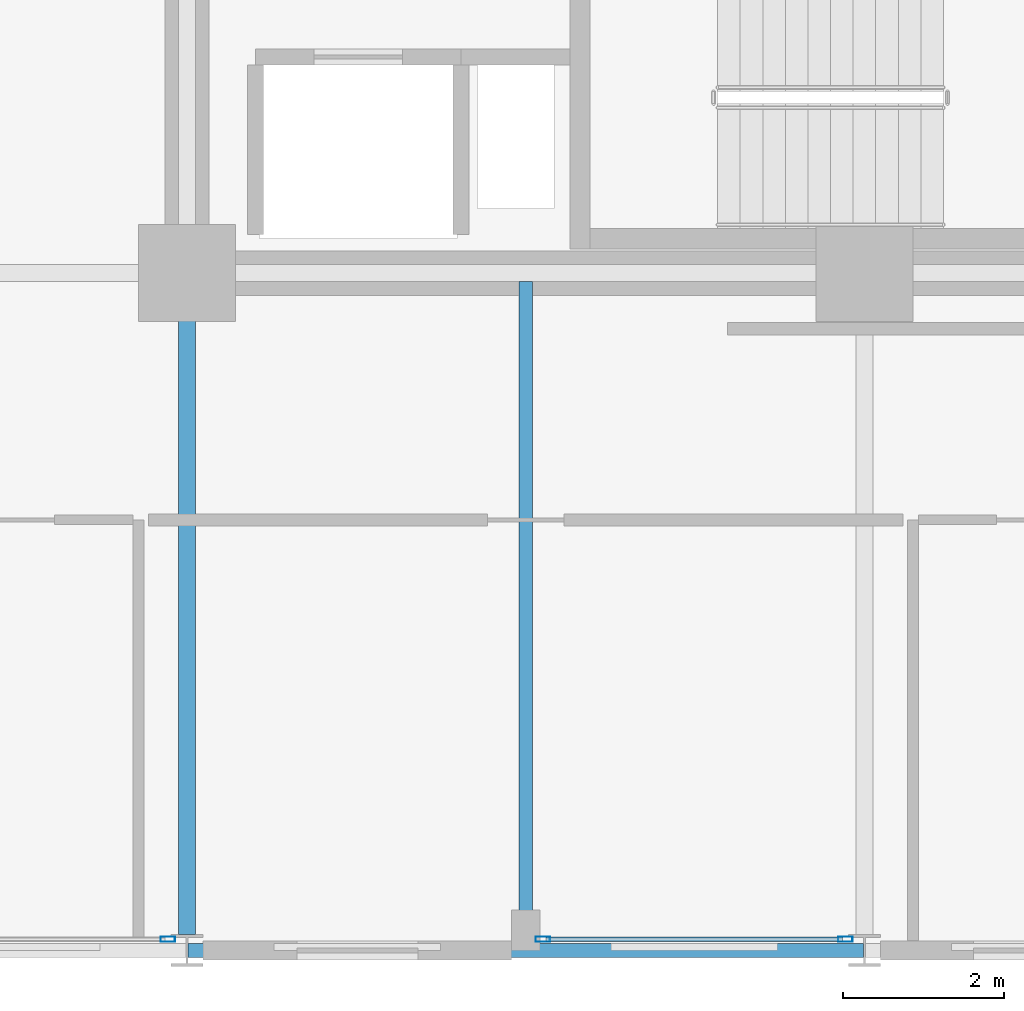
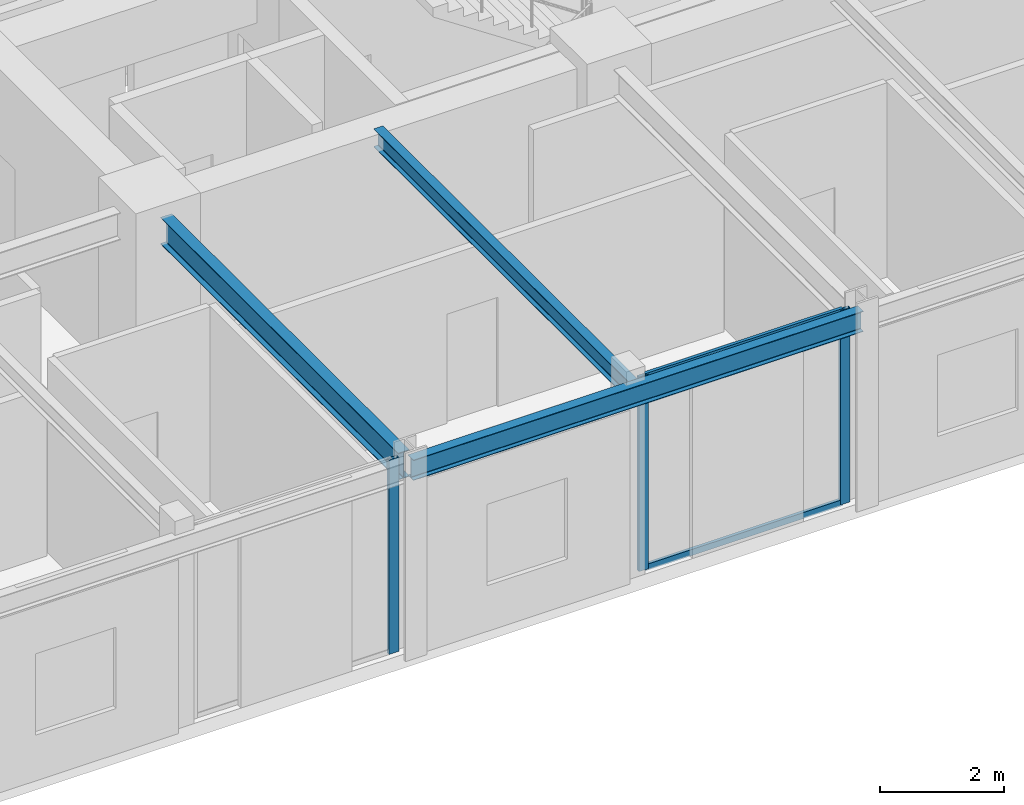
# One storey, part 8 of 38: 5 members, 3 beams, 2 elements without a shape of their own.
"""IFC4 building model written with IfcOpenShell, lengths in metres."""

import ifcopenshell
import ifcopenshell.guid

model = None  # the IFC model being written
_history = None  # IfcOwnerHistory: only IFC2X3 demands one
_inside = {}  # id of a spatial element -> (the spatial element, [elements in it])
_under = {}  # id of a project, library or spatial element -> (it, [spatial elements below it])
_declared = {}  # id of a project -> (the project, [libraries it declares])
_typed = {}  # id of a type object -> (the type object, [elements of that type])
_made_of = {}  # id of a material, layer set ... -> (it, [elements and type objects made of it])


def new_model(schema):
    """Start an empty IFC model of exactly this schema.

    Asked for "IFC4X3", IfcOpenShell would pick the latest addendum, in which some entities
    have other attributes; the version numbers below select the first issue.
    IFC2X3 requires an IfcOwnerHistory on every rooted entity: one is made here for all.
    """
    global model, _history
    if schema == "IFC4X3":
        model = ifcopenshell.file(schema_version=(4, 3, 0, 0))
    else:
        model = ifcopenshell.file(schema=schema)
    _inside.clear()
    _under.clear()
    _declared.clear()
    _typed.clear()
    _made_of.clear()
    _history = None
    if model.schema == "IFC2X3":
        org = make("IfcOrganization", Name="unknown")
        user = make(
            "IfcPersonAndOrganization",
            ThePerson=make("IfcPerson", FamilyName="unknown"),
            TheOrganization=org,
        )
        app = make(
            "IfcApplication",
            ApplicationDeveloper=org,
            Version="unknown",
            ApplicationFullName="unknown",
            ApplicationIdentifier="unknown",
        )
        _history = make(
            "IfcOwnerHistory",
            OwningUser=user,
            OwningApplication=app,
            ChangeAction="ADDED",
            CreationDate=0,
        )
    return model


def make(cls, **values):
    """One entity of the class cls with the attributes given. An attribute that is None is left unset."""
    return model.create_entity(
        cls, **{name: value for name, value in values.items() if value is not None}
    )


def rooted(cls, **values):
    """An entity with a GlobalId (a new one), such as an element, a storey or a relation."""
    return make(cls, GlobalId=ifcopenshell.guid.new(), OwnerHistory=_history, **values)


def si_unit(unit_type, name, prefix=None):
    """IfcSIUnit, for example si_unit("LENGTHUNIT", "METRE", prefix="MILLI")."""
    return make("IfcSIUnit", UnitType=unit_type, Prefix=prefix, Name=name)


def assignment(units):
    """IfcUnitAssignment: the units of a project."""
    return None if units is None else make("IfcUnitAssignment", Units=units)


def point(xyz):
    """IfcCartesianPoint."""
    return None if xyz is None else make("IfcCartesianPoint", Coordinates=xyz)


def direction(xyz):
    """IfcDirection."""
    return None if xyz is None else make("IfcDirection", DirectionRatios=xyz)


def frame(location, z_axis=None, x_axis=None):
    """IfcAxis2Placement3D, a coordinate frame: its origin and axes. An axis left out is left unset."""
    return make(
        "IfcAxis2Placement3D",
        Location=point(location),
        Axis=direction(z_axis),
        RefDirection=direction(x_axis),
    )


def frame_2d(location, x_axis=None):
    """IfcAxis2Placement2D, a coordinate frame in the plane: its origin and x axis."""
    return make(
        "IfcAxis2Placement2D", Location=point(location), RefDirection=direction(x_axis)
    )


def origin():
    """The frame at (0, 0, 0) with its axes left unset."""
    return frame((0.0, 0.0, 0.0))


def origin_2d():
    """The frame at (0, 0) in the plane with its x axis left unset."""
    return frame_2d((0.0, 0.0))


def place(relative_to, where):
    """IfcLocalPlacement: puts the frame where relative to a parent placement (None: the world)."""
    return make(
        "IfcLocalPlacement", PlacementRelTo=relative_to, RelativePlacement=where
    )


def context(
    kind, dimensions, precision=None, world=None, true_north=None, identifier=None
):
    """IfcGeometricRepresentationContext, for example the 3D "Model" context."""
    return make(
        "IfcGeometricRepresentationContext",
        ContextIdentifier=identifier,
        ContextType=kind,
        CoordinateSpaceDimension=dimensions,
        Precision=precision,
        WorldCoordinateSystem=world,
        TrueNorth=true_north,
    )


def subcontext(parent, identifier, kind, view, scale=None):
    """IfcGeometricRepresentationSubContext, for example "Body" below "Model"."""
    return make(
        "IfcGeometricRepresentationSubContext",
        ContextIdentifier=identifier,
        ContextType=kind,
        ParentContext=parent,
        TargetScale=scale,
        TargetView=view,
    )


def project(units=None, contexts=None):
    """IfcProject with its units and contexts."""
    return rooted(
        "IfcProject",
        Name="project",
        RepresentationContexts=contexts,
        UnitsInContext=assignment(units),
    )


def spatial(cls, under=None, at=None, **own):
    """A site, building, storey or space (cls), placed at a placement, below another one or the project."""
    s = rooted(cls, ObjectPlacement=at, **own)
    if under is not None:
        _under.setdefault(under.id(), (under, []))[1].append(s)
    return s


def profile(cls, at=None, kind="AREA", **sizes):
    """A parametric profile (cls). Its sizes go by their IFC names, for example OverallWidth=200.0."""
    return make(cls, ProfileType=kind, Position=at, **sizes)


def hollow_rectangle(**sizes):
    """IfcRectangleHollowProfileDef."""
    return profile("IfcRectangleHollowProfileDef", **sizes)


def i_section(**sizes):
    """IfcIShapeProfileDef."""
    return profile("IfcIShapeProfileDef", **sizes)


def extrude(swept, where, along, depth):
    """IfcExtrudedAreaSolid: the profile swept, set in the frame where, extruded along a direction by depth."""
    return make(
        "IfcExtrudedAreaSolid",
        SweptArea=swept,
        Position=where,
        ExtrudedDirection=direction(along),
        Depth=depth,
    )


def shape(context_of_items, identifier, shape_type, items):
    """IfcShapeRepresentation: the items that make up one representation, for example the "Body"."""
    return make(
        "IfcShapeRepresentation",
        ContextOfItems=context_of_items,
        RepresentationIdentifier=identifier,
        RepresentationType=shape_type,
        Items=items,
    )


def material(Name=None, Category=None):
    """IfcMaterial."""
    return make("IfcMaterial", Name=Name, Category=Category)


def layer(
    of_material, thickness, ventilated=None, Name=None, Category=None, Priority=None
):
    """IfcMaterialLayer: one layer of a wall or slab, of a material (None: an air gap)."""
    return make(
        "IfcMaterialLayer",
        Material=of_material,
        LayerThickness=thickness,
        IsVentilated=ventilated,
        Name=Name,
        Category=Category,
        Priority=Priority,
    )


def layer_set(layers, Name=None):
    """IfcMaterialLayerSet."""
    return make("IfcMaterialLayerSet", MaterialLayers=layers, LayerSetName=Name)


def material_profile(
    of_material, cross_section, Name=None, Category=None, Priority=None
):
    """IfcMaterialProfile: a cross section and its material."""
    return make(
        "IfcMaterialProfile",
        Name=Name,
        Material=of_material,
        Profile=cross_section,
        Priority=Priority,
        Category=Category,
    )


def profile_set(profiles, Name=None, composite=None):
    """IfcMaterialProfileSet."""
    return make(
        "IfcMaterialProfileSet",
        Name=Name,
        MaterialProfiles=profiles,
        CompositeProfile=composite,
    )


def made_of(thing, what):
    """Note that an element or type object is made of a material, layer set ...; save() writes the relation."""
    if what is not None:
        _made_of.setdefault(what.id(), (what, []))[1].append(thing)
    return thing


def type_object(cls, material=None, **own):
    """A type object (cls), such as IfcWallType, which elements share."""
    return made_of(rooted(cls, **own), material)


def element(
    cls,
    number,
    at=None,
    inside=None,
    cuts=None,
    type_object=None,
    material=None,
    context=None,
    identifier="Body",
    shape_type=None,
    held_by="IfcProductDefinitionShape",
    body=None,
    shapes=None,
    **own,
):
    """One element of the class cls, such as IfcWall. Its Tag is "e" and its number.

    at: its placement. inside: the storey or other place that contains it. cuts: it is an
    opening in that element (IfcRelVoidsElement). A single representation is given by context,
    identifier, shape_type and body (its items); several are given by shapes. held_by: the class
    of the entity that holds the representations. save() writes the other relations.
    """
    e = rooted(cls, Tag="e%d" % number, ObjectPlacement=at, **own)
    if body is not None:
        shapes = [shape(context, identifier, shape_type, body)]
    if shapes is not None:
        e.Representation = make(held_by, Representations=shapes)
    if inside is not None:
        _inside.setdefault(inside.id(), (inside, []))[1].append(e)
    if cuts is not None:
        rooted(
            "IfcRelVoidsElement", RelatingBuildingElement=cuts, RelatedOpeningElement=e
        )
    if type_object is not None:
        _typed.setdefault(type_object.id(), (type_object, []))[1].append(e)
    return made_of(e, material)


def aggregate(whole, parts):
    """IfcRelAggregates: a whole, such as a stair, and the parts it consists of."""
    return rooted("IfcRelAggregates", RelatingObject=whole, RelatedObjects=parts)


def save(model, path):
    """Write the relations noted so far, then the file.

    IfcRelAggregates (storeys below a building ...), IfcRelContainedInSpatialStructure (elements
    in a storey), IfcRelDefinesByType, IfcRelAssociatesMaterial and IfcRelDeclares: one each for
    every whole, place, type object, material and project.
    """
    for whole, parts in _under.values():
        aggregate(whole, parts)
    for where, things in _inside.values():
        rooted(
            "IfcRelContainedInSpatialStructure",
            RelatedElements=things,
            RelatingStructure=where,
        )
    for kind, things in _typed.values():
        rooted("IfcRelDefinesByType", RelatedObjects=things, RelatingType=kind)
    for what, things in _made_of.values():
        rooted("IfcRelAssociatesMaterial", RelatedObjects=things, RelatingMaterial=what)
    for by, libraries in _declared.values():
        rooted("IfcRelDeclares", RelatingContext=by, RelatedDefinitions=libraries)
    model.write(path)


model = new_model("IFC4")

# Units and contexts
model_context = context("Model", 3, precision=1e-05, world=origin(), true_north=direction((0.0, 1.0)))
body_context = subcontext(model_context, "Body", "Model", "MODEL_VIEW")
ifc_project = project(units=[si_unit("LENGTHUNIT", "METRE"), si_unit("AREAUNIT", "SQUARE_METRE"), si_unit("VOLUMEUNIT", "CUBIC_METRE"), si_unit("PLANEANGLEUNIT", "RADIAN"), si_unit("MASSUNIT", "GRAM", prefix="KILO")], contexts=[model_context])

# Site, building, storey
site_placement = place(None, origin())
site = spatial("IfcSite", under=ifc_project, at=site_placement, CompositionType="ELEMENT")
building_placement = place(site_placement, origin())
building = spatial("IfcBuilding", under=site, at=building_placement, Name="Nerrivon Quay Data Exchange", CompositionType="ELEMENT")
storey_placement = place(building_placement, frame((0.0, 0.0, 84.39990234375)))
storey = spatial("IfcBuildingStorey", under=building, at=storey_placement, Name="L19", CompositionType="ELEMENT", Elevation=84.39990234375)

# Beams
ifc_material_1 = material(Name="Steel Grade 350", Category="steel")
ifc_material_profile_1 = material_profile(ifc_material_1, i_section(OverallWidth=0.208984375, OverallDepth=0.528076171875, WebThickness=0.009521484375, FlangeThickness=0.01318359375, FilletRadius=0.013916015625, at=origin_2d()), Name="530UB82.0")
ifc_profile_set_1 = profile_set([ifc_material_profile_1], Name="Steel Grade 350")
beam_type_1 = type_object("IfcBeamType", Name="BM-G4-530UB82", PredefinedType="BEAM", material=ifc_profile_set_1)
beam_1_placement = place(storey_placement, frame((16.800048828125, 0.199951171875, 3.56103515625), z_axis=(0.0, 1.0, 0.0), x_axis=(-1.0, 0.0, 0.0)))
element("IfcBeam", 1, at=beam_1_placement, inside=storey, type_object=beam_type_1, Name="L19 NS Girder X=16.8 (0.0..8.4)", PredefinedType="BEAM", context=body_context, shape_type="SweptSolid", body=[
    extrude(i_section(OverallWidth=0.208984375, OverallDepth=0.528076171875, WebThickness=0.009521484375, FlangeThickness=0.01318359375, FilletRadius=0.013916015625, at=origin_2d()), origin(), (0.0, 0.0, 1.0), 7.66015625),
])
ifc_material_profile_2 = material_profile(ifc_material_1, i_section(OverallWidth=0.1708984375, OverallDepth=0.35595703125, WebThickness=0.00732421875, FlangeThickness=0.011474609375, FilletRadius=0.011474609375, at=origin_2d()), Name="360UB50.7")
ifc_profile_set_2 = profile_set([ifc_material_profile_2], Name="Steel Grade 350")
beam_type_2 = type_object("IfcBeamType", Name="BM-J4-360UB51", PredefinedType="JOIST", material=ifc_profile_set_2)
beam_2_placement = place(storey_placement, frame((21.0, 0.089111328125, 3.647216796875), z_axis=(0.0, 1.0, 0.0), x_axis=(-1.0, 0.0, 0.0)))
element("IfcBeam", 2, at=beam_2_placement, inside=storey, type_object=beam_type_2, Name="L19 Secondary Joist X=21.0 (0.0..8.4)", PredefinedType="JOIST", context=body_context, shape_type="SweptSolid", body=[
    extrude(i_section(OverallWidth=0.1708984375, OverallDepth=0.35595703125, WebThickness=0.00732421875, FlangeThickness=0.011474609375, FilletRadius=0.011474609375, at=origin_2d()), origin(), (0.0, 0.0, 1.0), 8.206298828125),
])
ifc_material_profile_3 = material_profile(ifc_material_1, i_section(OverallWidth=0.177978515625, OverallDepth=0.403076171875, WebThickness=0.007568359375, FlangeThickness=0.010986328125, FilletRadius=0.011474609375, at=origin_2d()), Name="410UB53.7")
ifc_profile_set_3 = profile_set([ifc_material_profile_3], Name="Steel Grade 350")
beam_type_3 = type_object("IfcBeamType", Name="BM-SP2-410UB54", PredefinedType="SPANDREL", material=ifc_profile_set_3)
beam_3_placement = place(storey_placement, frame((16.8125, 0.0, 3.62353515625), z_axis=(1.0, 0.0, 0.0), x_axis=(0.0, 1.0, 0.0)))
element("IfcBeam", 3, at=beam_3_placement, inside=storey, type_object=beam_type_3, Name="L19 EW Girder Y=0.0 (16.8..25.2)", PredefinedType="SPANDREL", context=body_context, shape_type="SweptSolid", body=[
    extrude(i_section(OverallWidth=0.177978515625, OverallDepth=0.403076171875, WebThickness=0.007568359375, FlangeThickness=0.010986328125, FilletRadius=0.011474609375, at=origin_2d()), origin(), (0.0, 0.0, 1.0), 8.375),
])

# Curtain wall, members
ifc_material_2 = material(Name="Anodised aluminium 6063-T6", Category="aluminium")
ifc_layer = layer(ifc_material_2, 0.2099609375)
ifc_layer_set = layer_set([ifc_layer], Name="Anodised aluminium 6063-T6")
curtain_wall_type = type_object("IfcCurtainWallType", Name="CW-SYS-02", PredefinedType="NOTDEFINED", material=ifc_layer_set)
curtain_wall_1_placement = place(storey_placement, origin())
curtain_wall_1 = element("IfcCurtainWall", 4, at=curtain_wall_1_placement, inside=storey, type_object=curtain_wall_type, Name="L19 Unitised Curtain Wall 10", PredefinedType="NOTDEFINED")
ifc_material_profile_4 = material_profile(ifc_material_2, hollow_rectangle(XDim=0.06494140625, YDim=0.179931640625, WallThickness=0.00341796875, at=origin_2d()), Name="ALU-MULL-180x65")
ifc_profile_set_4 = profile_set([ifc_material_profile_4], Name="Anodised aluminium 6063-T6")
member_type_1 = type_object("IfcMemberType", Name="CWM-180x65", PredefinedType="MULLION", material=ifc_profile_set_4)
member_1_placement = place(storey_placement, frame((24.96240234375, 0.139892578125, 0.0), z_axis=(0.0, 0.0, 1.0), x_axis=(0.0, -1.0, 0.0)))
member_1 = element("IfcMember", 5, at=member_1_placement, type_object=member_type_1, Name="CW02 mullion 1", PredefinedType="MULLION", context=body_context, shape_type="SweptSolid", body=[
    extrude(hollow_rectangle(XDim=0.06494140625, YDim=0.179931640625, WallThickness=0.00341796875, at=origin_2d()), origin(), (0.0, 0.0, 1.0), 3.8251953125),
])
member_2_placement = place(storey_placement, frame((21.21240234375, 0.139892578125, 0.0), z_axis=(0.0, 0.0, 1.0), x_axis=(0.0, -1.0, 0.0)))
member_2 = element("IfcMember", 6, at=member_2_placement, type_object=member_type_1, Name="CW02 mullion 2", PredefinedType="MULLION", context=body_context, shape_type="SweptSolid", body=[
    extrude(hollow_rectangle(XDim=0.06494140625, YDim=0.179931640625, WallThickness=0.00341796875, at=origin_2d()), origin(), (0.0, 0.0, 1.0), 3.8251953125),
])

# Curtain wall, member
curtain_wall_2_placement = place(storey_placement, origin())
curtain_wall_2 = element("IfcCurtainWall", 7, at=curtain_wall_2_placement, inside=storey, type_object=curtain_wall_type, Name="L19 Unitised Curtain Wall 12", PredefinedType="NOTDEFINED")
member_3_placement = place(storey_placement, frame((16.5625, 0.139892578125, 0.0), z_axis=(0.0, 0.0, 1.0), x_axis=(0.0, -1.0, 0.0)))
member_3 = element("IfcMember", 8, at=member_3_placement, type_object=member_type_1, Name="CW02 mullion 1", PredefinedType="MULLION", context=body_context, shape_type="SweptSolid", body=[
    extrude(hollow_rectangle(XDim=0.06494140625, YDim=0.179931640625, WallThickness=0.00341796875, at=origin_2d()), origin(), (0.0, 0.0, 1.0), 3.8251953125),
])
aggregate(curtain_wall_2, [member_3])

# Member
ifc_material_profile_5 = material_profile(ifc_material_2, hollow_rectangle(XDim=0.06005859375, YDim=0.1201171875, WallThickness=0.003173828125, at=origin_2d()), Name="ALU-TRAN-120x60")
ifc_profile_set_5 = profile_set([ifc_material_profile_5], Name="Anodised aluminium 6063-T6")
member_type_2 = type_object("IfcMemberType", Name="CWT-120x60", PredefinedType="USERDEFINED", material=ifc_profile_set_5)
member_4_placement = place(storey_placement, frame((24.925048828125, 0.139892578125, 0.03271484375), z_axis=(-1.0, 0.0, 0.0), x_axis=(0.0, -1.0, 0.0)))
member_4 = element("IfcMember", 9, at=member_4_placement, type_object=member_type_2, Name="CW02 transom 1.1", ObjectType="TRANSOM", PredefinedType="USERDEFINED", context=body_context, shape_type="SweptSolid", body=[
    extrude(hollow_rectangle(XDim=0.06005859375, YDim=0.1201171875, WallThickness=0.003173828125, at=origin_2d()), origin(), (0.0, 0.0, 1.0), 3.675048828125),
])

member_5_placement = place(storey_placement, frame((24.925048828125, 0.139892578125, 3.79248046875), z_axis=(-1.0, 0.0, 0.0), x_axis=(0.0, -1.0, 0.0)))
member_5 = element("IfcMember", 10, at=member_5_placement, type_object=member_type_2, Name="CW02 transom 1.2", ObjectType="TRANSOM", PredefinedType="USERDEFINED", context=body_context, shape_type="SweptSolid", body=[
    extrude(hollow_rectangle(XDim=0.06005859375, YDim=0.1201171875, WallThickness=0.003173828125, at=origin_2d()), origin(), (0.0, 0.0, 1.0), 3.675048828125),
])

aggregate(curtain_wall_1, [member_1, member_2, member_4, member_5])

save(model, "model.ifc")
